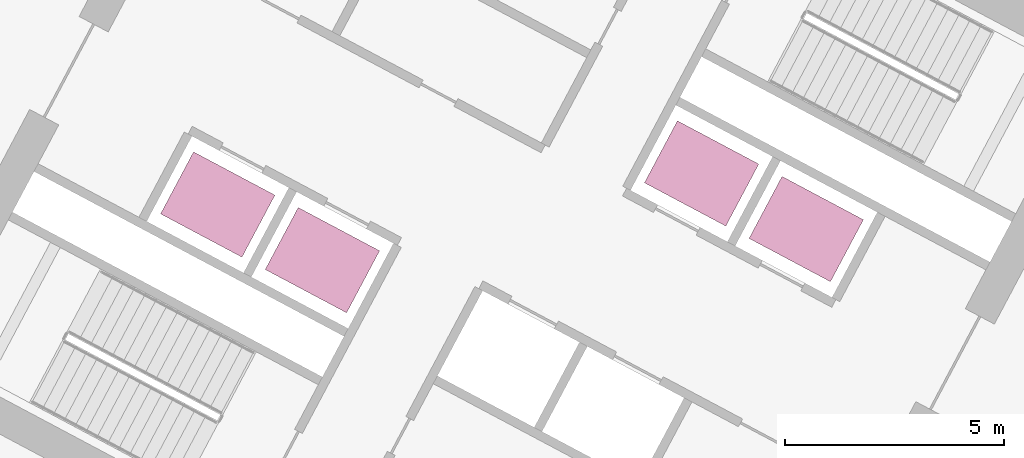
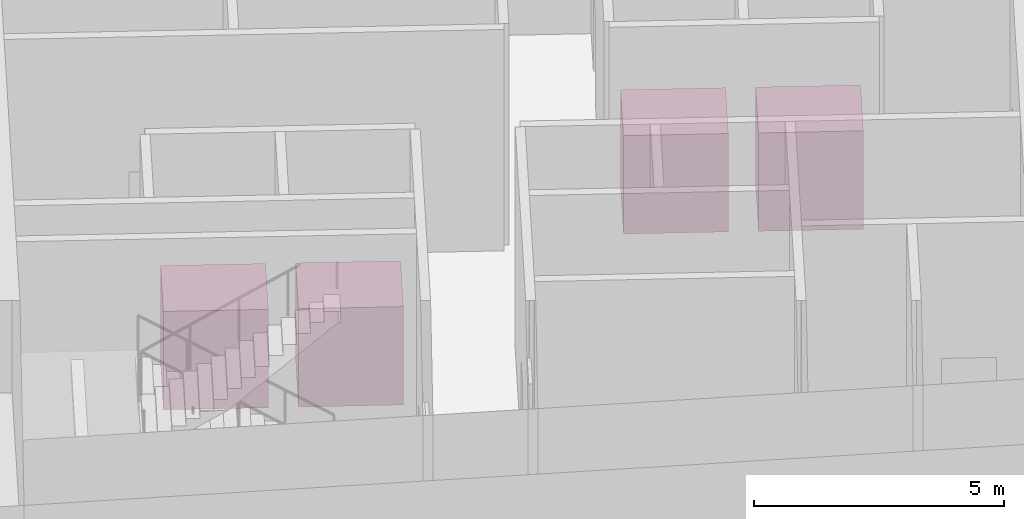
# One storey, part 31 of 31: 4 transport elements.
"""IFC4 building model written with IfcOpenShell, lengths in metres."""

from ifc_helpers import new_model, si_unit, direction, frame, origin, origin_2d, place, context, subcontext, project, spatial, rectangle, extrude, material, type_object, element, save


model = new_model("IFC4")

# Units and contexts
model_context = context("Model", 3, precision=1e-05, world=origin(), true_north=direction((0.0, 1.0)))
body_context = subcontext(model_context, "Body", "Model", "MODEL_VIEW")
ifc_project = project(units=[si_unit("LENGTHUNIT", "METRE"), si_unit("AREAUNIT", "SQUARE_METRE"), si_unit("VOLUMEUNIT", "CUBIC_METRE"), si_unit("PLANEANGLEUNIT", "RADIAN"), si_unit("MASSUNIT", "GRAM", prefix="KILO")], contexts=[model_context])

# Site, building, storey
site_placement = place(None, origin())
site = spatial("IfcSite", under=ifc_project, at=site_placement, CompositionType="ELEMENT")
building_placement = place(site_placement, origin())
building = spatial("IfcBuilding", under=site, at=building_placement, Name="Cormorant Relay Tower", CompositionType="ELEMENT")
storey_placement = place(building_placement, frame((0.0, 0.0, 178.199951171875)))
storey = spatial("IfcBuildingStorey", under=building, at=storey_placement, Name="L38", CompositionType="ELEMENT", Elevation=178.199951171875)

# Transport elements
ifc_material = material(Name="Stainless steel 316", Category="steel")
transport_element_type = type_object("IfcTransportElementType", Name="Passenger lift car 2100x1600 1800 kg", PredefinedType="ELEVATOR", material=ifc_material)
for number, where, z_axis, x_axis, name in (
    (1, (-31.690673828125, 13.56591796875, 0.0), (0.0, 0.0, 1.0), (-0.882947592859, 0.469471562786, 0.0), "MR1"),
    (2, (-34.07470703125, 14.83349609375, 0.0), (0.0, 0.0, 1.0), (-0.882947592859, 0.469471562786, 0.0), "MR2"),
    (3, (-20.668212890625, 14.27392578125, 0.0), (0.0, 0.0, 1.0), (-0.882947592859, 0.469471562786, 0.0), "MR3"),
    (4, (-23.052001953125, 15.54150390625, 0.0), (0.0, 0.0, 1.0), (-0.882947592859, 0.469471562786, 0.0), "MR4"),
):
    element("IfcTransportElement", number, at=place(storey_placement, frame(where, z_axis=z_axis, x_axis=x_axis)), inside=storey, type_object=transport_element_type, Name=name, PredefinedType="ELEVATOR", context=body_context, shape_type="SweptSolid", body=[
        extrude(rectangle(XDim=2.10009765625, YDim=1.60009765625, at=origin_2d()), origin(), (0.0, 0.0, 1.0), 2.39990234375),
    ])

save(model, "model.ifc")
